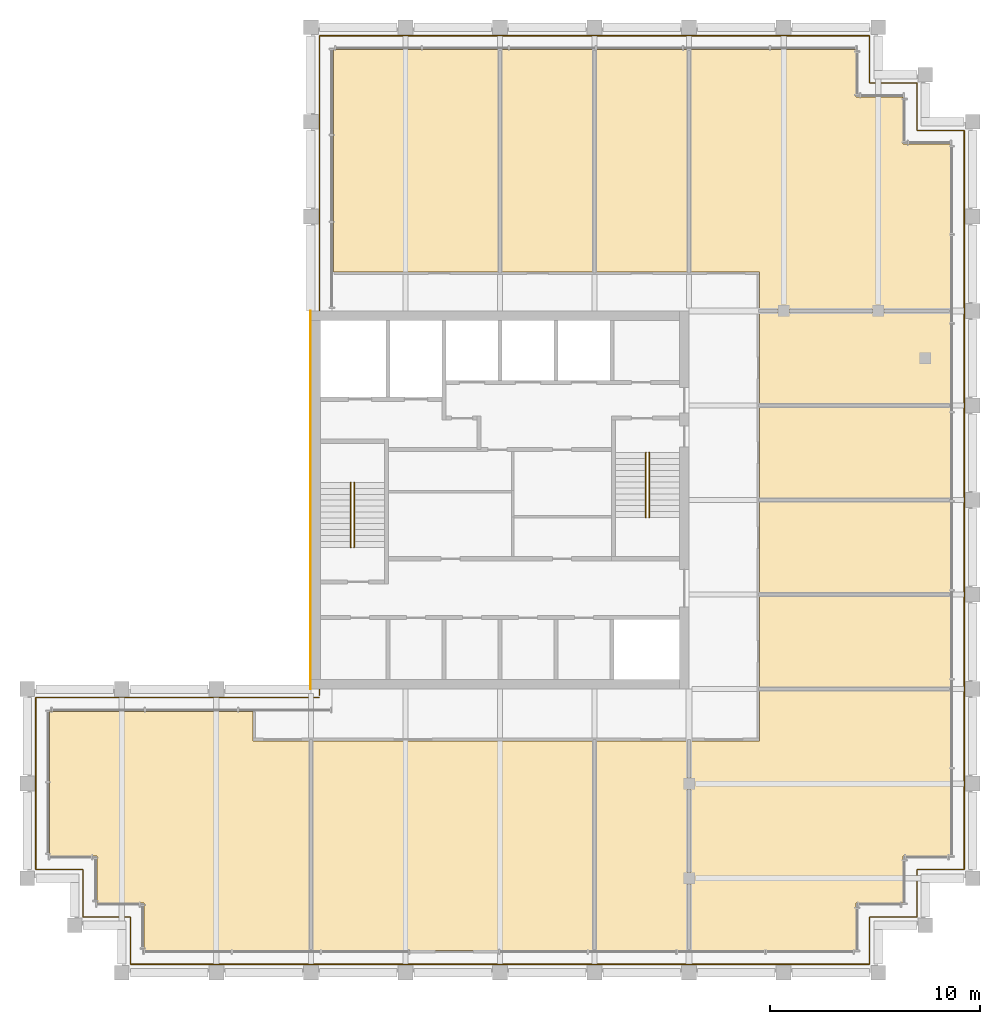
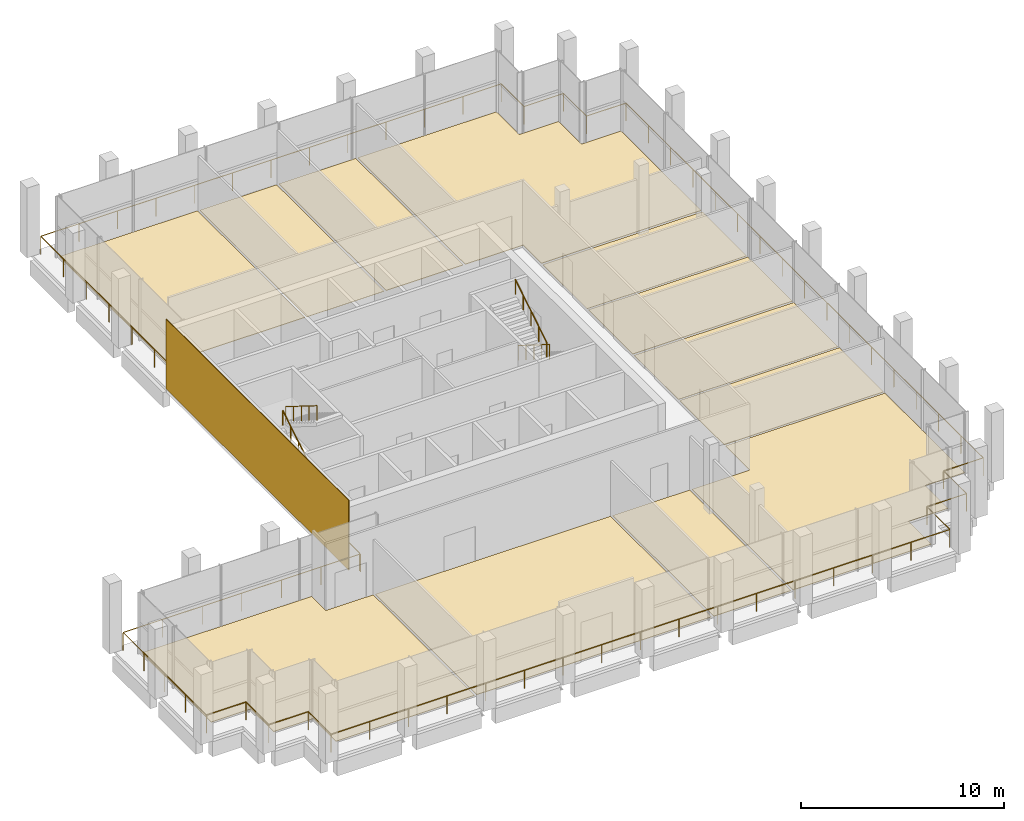
# One storey, part 17 of 17: 13 coverings, 5 railings.
"""IFC4 building model written with IfcOpenShell, lengths in metres."""

from ifc_helpers import new_model, si_unit, direction, frame, origin, origin_2d, place, context, subcontext, project, spatial, polyline, rectangle, circle, outline, extrude, source, transform, mapped, material, layer, layer_set, type_object, element, save


model = new_model("IFC4")

# Units and contexts
model_context = context("Model", 3, precision=1e-05, world=origin(), true_north=direction((0.0, 1.0)))
body_context = subcontext(model_context, "Body", "Model", "MODEL_VIEW")
ifc_project = project(units=[si_unit("LENGTHUNIT", "METRE"), si_unit("AREAUNIT", "SQUARE_METRE"), si_unit("VOLUMEUNIT", "CUBIC_METRE"), si_unit("PLANEANGLEUNIT", "RADIAN"), si_unit("MASSUNIT", "GRAM", prefix="KILO")], contexts=[model_context])

# Site, building, storey
site_placement = place(None, origin())
site = spatial("IfcSite", under=ifc_project, at=site_placement, CompositionType="ELEMENT")
building_placement = place(site_placement, origin())
building = spatial("IfcBuilding", under=site, at=building_placement, Name="Altepetl Exchange Towers", CompositionType="ELEMENT")
storey_placement = place(building_placement, frame((0.0, 0.0, 251.0)))
storey = spatial("IfcBuildingStorey", under=building, at=storey_placement, Name="L64", CompositionType="ELEMENT", Elevation=251.0)

# Coverings
ifc_material_1 = material(Name="Carpet tile")
ifc_layer_1 = layer(ifc_material_1, 0.02001953125)
ifc_layer_set_1 = layer_set([ifc_layer_1], Name="Carpet tile")
covering_type_1 = type_object("IfcCoveringType", Name="Carpet tile floor", PredefinedType="FLOORING", material=ifc_layer_set_1)
covering_1_placement = place(storey_placement, origin())
element("IfcCovering", 1, at=covering_1_placement, inside=storey, type_object=covering_type_1, Name="Pantry floor finish A64.06", PredefinedType="FLOORING", context=body_context, shape_type="SweptSolid", body=[
    extrude(outline(polyline([(70.9375, 49.4375), (61.862548828125, 49.4375), (61.862548828125, 45.0625), (70.9375, 45.0625), (70.9375, 49.4375)])), origin(), (0.0, 0.0, 1.0), 0.02001953125),
])
covering_2_placement = place(storey_placement, origin())
element("IfcCovering", 2, at=covering_2_placement, inside=storey, type_object=covering_type_1, Name="Pantry floor finish A64.08", PredefinedType="FLOORING", context=body_context, shape_type="SweptSolid", body=[
    extrude(outline(polyline([(70.9375, 58.4375), (61.862548828125, 58.4375), (61.862548828125, 54.0625), (70.9375, 54.0625), (70.9375, 58.4375)])), origin(), (0.0, 0.0, 1.0), 0.02001953125),
])
covering_3_placement = place(storey_placement, origin())
element("IfcCovering", 3, at=covering_3_placement, inside=storey, type_object=covering_type_1, Name="Meeting room floor finish A64.11", PredefinedType="FLOORING", context=body_context, shape_type="SweptSolid", body=[
    extrude(outline(polyline([(53.9375, 60.362548828125), (53.9375, 70.9375), (49.5625, 70.9375), (49.5625, 60.362548828125), (53.9375, 60.362548828125)])), origin(), (0.0, 0.0, 1.0), 0.02001953125),
])
ifc_material_2 = material(Name="Cantera stone", Category="masonry")
ifc_layer_2 = layer(ifc_material_2, 0.030029296875)
ifc_layer_set_2 = layer_set([ifc_layer_2], Name="Cantera stone")
covering_type_2 = type_object("IfcCoveringType", Name="Polished stone floor", PredefinedType="FLOORING", material=ifc_layer_set_2)
covering_4_placement = place(storey_placement, origin())
element("IfcCovering", 4, at=covering_4_placement, inside=storey, type_object=covering_type_2, Name="Executive office floor finish A64.01", PredefinedType="FLOORING", context=body_context, shape_type="SweptSolid", body=[
    extrude(outline(polyline([(40.4375, 28.0625), (40.4375, 38.03759765625), (37.737548828125, 38.03759765625), (37.737548828125, 39.4375), (28.0625, 39.4375), (28.0625, 32.5625), (30.3125, 32.5625), (30.3125, 30.3125), (32.5625, 30.3125), (32.5625, 28.0625), (40.4375, 28.0625)])), origin(), (0.0, 0.0, 1.0), 0.030029296875),
])
covering_5_placement = place(storey_placement, origin())
element("IfcCovering", 5, at=covering_5_placement, inside=storey, type_object=covering_type_2, Name="Executive office floor finish A64.02", PredefinedType="FLOORING", context=body_context, shape_type="SweptSolid", body=[
    extrude(outline(polyline([(53.9375, 28.0625), (53.9375, 38.03759765625), (40.5625, 38.03759765625), (40.5625, 28.0625), (53.9375, 28.0625)])), origin(), (0.0, 0.0, 1.0), 0.030029296875),
])
covering_6_placement = place(storey_placement, origin())
element("IfcCovering", 6, at=covering_6_placement, inside=storey, type_object=covering_type_2, Name="Executive dining room floor finish A64.03", PredefinedType="FLOORING", context=body_context, shape_type="SweptSolid", body=[
    extrude(outline(polyline([(58.4375, 28.0625), (58.4375, 38.03759765625), (54.0625, 38.03759765625), (54.0625, 28.0625), (58.4375, 28.0625)])), origin(), (0.0, 0.0, 1.0), 0.030029296875),
])
covering_7_placement = place(storey_placement, origin())
element("IfcCovering", 7, at=covering_7_placement, inside=storey, type_object=covering_type_2, Name="Executive office floor finish A64.04", PredefinedType="FLOORING", context=body_context, shape_type="SweptSolid", body=[
    extrude(outline(polyline([(70.9375, 40.4375), (61.862548828125, 40.4375), (61.862548828125, 38.03759765625), (58.5625, 38.03759765625), (58.5625, 28.0625), (66.4375, 28.0625), (66.4375, 30.3125), (68.6875, 30.3125), (68.6875, 32.5625), (70.9375, 32.5625), (70.9375, 40.4375)])), origin(), (0.0, 0.0, 1.0), 0.030029296875),
])
covering_8_placement = place(storey_placement, origin())
element("IfcCovering", 8, at=covering_8_placement, inside=storey, type_object=covering_type_2, Name="Lounge floor finish A64.05", PredefinedType="FLOORING", context=body_context, shape_type="SweptSolid", body=[
    extrude(outline(polyline([(70.9375, 44.9375), (61.862548828125, 44.9375), (61.862548828125, 40.5625), (70.9375, 40.5625), (70.9375, 44.9375)])), origin(), (0.0, 0.0, 1.0), 0.030029296875),
])
covering_9_placement = place(storey_placement, origin())
element("IfcCovering", 9, at=covering_9_placement, inside=storey, type_object=covering_type_2, Name="Lounge floor finish A64.07", PredefinedType="FLOORING", context=body_context, shape_type="SweptSolid", body=[
    extrude(outline(polyline([(70.9375, 53.9375), (61.862548828125, 53.9375), (61.862548828125, 49.5625), (70.9375, 49.5625), (70.9375, 53.9375)])), origin(), (0.0, 0.0, 1.0), 0.030029296875),
])
covering_10_placement = place(storey_placement, origin())
element("IfcCovering", 10, at=covering_10_placement, inside=storey, type_object=covering_type_2, Name="Cafe floor finish A64.09", PredefinedType="FLOORING", context=body_context, shape_type="SweptSolid", body=[
    extrude(outline(polyline([(66.4375, 70.9375), (58.5625, 70.9375), (58.5625, 60.362548828125), (61.862548828125, 60.362548828125), (61.862548828125, 58.5625), (70.9375, 58.5625), (70.9375, 66.4375), (68.6875, 66.4375), (68.6875, 68.6875), (66.4375, 68.6875), (66.4375, 70.9375)])), origin(), (0.0, 0.0, 1.0), 0.030029296875),
])
covering_11_placement = place(storey_placement, origin())
element("IfcCovering", 11, at=covering_11_placement, inside=storey, type_object=covering_type_2, Name="Boardroom floor finish A64.10", PredefinedType="FLOORING", context=body_context, shape_type="SweptSolid", body=[
    extrude(outline(polyline([(58.4375, 60.362548828125), (58.4375, 70.9375), (54.0625, 70.9375), (54.0625, 60.362548828125), (58.4375, 60.362548828125)])), origin(), (0.0, 0.0, 1.0), 0.030029296875),
])
covering_12_placement = place(storey_placement, origin())
element("IfcCovering", 12, at=covering_12_placement, inside=storey, type_object=covering_type_2, Name="Executive office floor finish A64.12", PredefinedType="FLOORING", context=body_context, shape_type="SweptSolid", body=[
    extrude(outline(polyline([(49.4375, 60.362548828125), (49.4375, 70.9375), (41.5625, 70.9375), (41.5625, 60.362548828125), (49.4375, 60.362548828125)])), origin(), (0.0, 0.0, 1.0), 0.030029296875),
])
ifc_material_3 = material(Name="Cantera limestone cladding", Category="masonry")
ifc_layer_3 = layer(ifc_material_3, 0.0400390625)
ifc_layer_set_3 = layer_set([ifc_layer_3], Name="Cantera limestone cladding")
covering_type_3 = type_object("IfcCoveringType", Name="Stone panel 40 cantera", PredefinedType="CLADDING", material=ifc_layer_set_3)
covering_13_placement = place(storey_placement, frame((40.47998046875, 49.5, 0.0), z_axis=(0.0, 0.0, 1.0), x_axis=(0.0, -1.0, 0.0)))
element("IfcCovering", 13, at=covering_13_placement, inside=storey, type_object=covering_type_3, Name="Stone cladding panel", PredefinedType="CLADDING", context=body_context, shape_type="SweptSolid", body=[
    extrude(rectangle(XDim=18.0, YDim=0.0400390625, at=origin_2d()), origin(), (0.0, 0.0, 1.0), 4.199951171875),
])

# Railings
ifc_material_4 = material(Name="Steel S355", Category="steel")
railing_type_1 = type_object("IfcRailingType", Name="Guard 1100 steel posts and rail", PredefinedType="GUARDRAIL", material=ifc_material_4)
shared_shape_1 = source(origin(), body_context, "Body", "SweptSolid", [
    extrude(circle(Radius=0.02099609375, at=origin_2d()), origin(), (0.0, 0.0, 1.0), 1.052001953125),
])
railing_1_placement = place(storey_placement, frame((40.89990234375, 40.10009765625, 0.0)))
element("IfcRailing", 14, at=railing_1_placement, inside=storey, type_object=railing_type_1, Name="Loggia guard", PredefinedType="GUARDRAIL", context=body_context, shape_type="SweptSolid", body=[
    extrude(circle(Radius=0.02392578125, at=origin_2d()), frame((0.0, 0.0, 1.076171875), z_axis=(-1.0, 0.0, 0.0), x_axis=(0.0, -1.0, 0.0)), (0.0, 0.0, 1.0), 13.5),
    extrude(circle(Radius=0.02392578125, at=origin_2d()), frame((-13.5, 0.0, 1.076171875), z_axis=(0.0, -1.0, 0.0), x_axis=(1.0, 0.0, 0.0)), (0.0, 0.0, 1.0), 8.2001953125),
    extrude(circle(Radius=0.02392578125, at=origin_2d()), frame((-13.5, -8.2001953125, 1.076171875), z_axis=(1.0, 0.0, 0.0), x_axis=(0.0, 1.0, 0.0)), (0.0, 0.0, 1.0), 2.25),
    extrude(circle(Radius=0.02392578125, at=origin_2d()), frame((-11.25, -8.2001953125, 1.076171875), z_axis=(0.0, -1.0, 0.0), x_axis=(1.0, 0.0, 0.0)), (0.0, 0.0, 1.0), 2.25),
    extrude(circle(Radius=0.02392578125, at=origin_2d()), frame((-11.25, -10.4501953125, 1.076171875), z_axis=(1.0, 0.0, 0.0), x_axis=(0.0, 1.0, 0.0)), (0.0, 0.0, 1.0), 2.25),
    extrude(circle(Radius=0.02392578125, at=origin_2d()), frame((-9.0, -10.4501953125, 1.076171875), z_axis=(0.0, -1.0, 0.0), x_axis=(1.0, 0.0, 0.0)), (0.0, 0.0, 1.0), 2.25),
    extrude(circle(Radius=0.02392578125, at=origin_2d()), frame((-9.0, -12.7001953125, 1.076171875), z_axis=(1.0, 0.0, 0.0), x_axis=(0.0, 1.0, 0.0)), (0.0, 0.0, 1.0), 35.2001953125),
    extrude(circle(Radius=0.02392578125, at=origin_2d()), frame((26.2001953125, -12.7001953125, 1.076171875), z_axis=(0.0, 1.0, 0.0), x_axis=(-1.0, 0.0, 0.0)), (0.0, 0.0, 1.0), 2.25),
    extrude(circle(Radius=0.02392578125, at=origin_2d()), frame((26.2001953125, -10.4501953125, 1.076171875), z_axis=(1.0, 0.0, 0.0), x_axis=(0.0, 1.0, 0.0)), (0.0, 0.0, 1.0), 2.25),
    extrude(circle(Radius=0.02392578125, at=origin_2d()), frame((28.4501953125, -10.4501953125, 1.076171875), z_axis=(0.0, 1.0, 0.0), x_axis=(-1.0, 0.0, 0.0)), (0.0, 0.0, 1.0), 2.25),
    extrude(circle(Radius=0.02392578125, at=origin_2d()), frame((28.4501953125, -8.2001953125, 1.076171875), z_axis=(1.0, 0.0, 0.0), x_axis=(0.0, 1.0, 0.0)), (0.0, 0.0, 1.0), 2.25),
    extrude(circle(Radius=0.02392578125, at=origin_2d()), frame((30.7001953125, -8.2001953125, 1.076171875), z_axis=(0.0, 1.0, 0.0), x_axis=(-1.0, 0.0, 0.0)), (0.0, 0.0, 1.0), 35.2001953125),
    extrude(circle(Radius=0.02392578125, at=origin_2d()), frame((30.7001953125, 27.0, 1.076171875), z_axis=(-1.0, 0.0, 0.0), x_axis=(0.0, -1.0, 0.0)), (0.0, 0.0, 1.0), 2.25),
    extrude(circle(Radius=0.02392578125, at=origin_2d()), frame((28.4501953125, 27.0, 1.076171875), z_axis=(0.0, 1.0, 0.0), x_axis=(-1.0, 0.0, 0.0)), (0.0, 0.0, 1.0), 2.25),
    extrude(circle(Radius=0.02392578125, at=origin_2d()), frame((28.4501953125, 29.25, 1.076171875), z_axis=(-1.0, 0.0, 0.0), x_axis=(0.0, -1.0, 0.0)), (0.0, 0.0, 1.0), 2.25),
    extrude(circle(Radius=0.02392578125, at=origin_2d()), frame((26.2001953125, 29.25, 1.076171875), z_axis=(0.0, 1.0, 0.0), x_axis=(-1.0, 0.0, 0.0)), (0.0, 0.0, 1.0), 2.25),
    extrude(circle(Radius=0.02392578125, at=origin_2d()), frame((26.2001953125, 31.5, 1.076171875), z_axis=(-1.0, 0.0, 0.0), x_axis=(0.0, -1.0, 0.0)), (0.0, 0.0, 1.0), 26.2001953125),
    extrude(circle(Radius=0.02392578125, at=origin_2d()), frame((0.0, 31.5, 1.076171875), z_axis=(0.0, -1.0, 0.0), x_axis=(1.0, 0.0, 0.0)), (0.0, 0.0, 1.0), 31.400146484375),
    mapped(shared_shape_1, transform((0.0, 0.0, 0.0))),
    mapped(shared_shape_1, transform((-2.25, 0.0, 0.0))),
    mapped(shared_shape_1, transform((-4.5, 0.0, 0.0))),
    mapped(shared_shape_1, transform((-6.75, 0.0, 0.0))),
    mapped(shared_shape_1, transform((-9.0, 0.0, 0.0))),
    mapped(shared_shape_1, transform((-11.25, 0.0, 0.0))),
    mapped(shared_shape_1, transform((-13.5, 0.0, 0.0))),
    mapped(shared_shape_1, transform((-13.5, -2.050048828125, 0.0))),
    mapped(shared_shape_1, transform((-13.5, -4.10009765625, 0.0))),
    mapped(shared_shape_1, transform((-13.5, -6.150146484375, 0.0))),
    mapped(shared_shape_1, transform((-13.5, -8.2001953125, 0.0))),
    mapped(shared_shape_1, transform((-11.25, -8.2001953125, 0.0))),
    mapped(shared_shape_1, transform((-11.25, -10.4501953125, 0.0))),
    mapped(shared_shape_1, transform((-9.0, -10.4501953125, 0.0))),
    mapped(shared_shape_1, transform((-9.0, -12.7001953125, 0.0))),
    mapped(shared_shape_1, transform((-6.800048828125, -12.7001953125, 0.0))),
    mapped(shared_shape_1, transform((-4.60009765625, -12.7001953125, 0.0))),
    mapped(shared_shape_1, transform((-2.39990234375, -12.7001953125, 0.0))),
    mapped(shared_shape_1, transform((-0.199951171875, -12.7001953125, 0.0))),
    mapped(shared_shape_1, transform((2.0, -12.7001953125, 0.0))),
    mapped(shared_shape_1, transform((4.2001953125, -12.7001953125, 0.0))),
    mapped(shared_shape_1, transform((6.400146484375, -12.7001953125, 0.0))),
    mapped(shared_shape_1, transform((8.60009765625, -12.7001953125, 0.0))),
    mapped(shared_shape_1, transform((10.800048828125, -12.7001953125, 0.0))),
    mapped(shared_shape_1, transform((13.0, -12.7001953125, 0.0))),
    mapped(shared_shape_1, transform((15.2001953125, -12.7001953125, 0.0))),
    mapped(shared_shape_1, transform((17.400146484375, -12.7001953125, 0.0))),
    mapped(shared_shape_1, transform((19.60009765625, -12.7001953125, 0.0))),
    mapped(shared_shape_1, transform((21.80029296875, -12.7001953125, 0.0))),
    mapped(shared_shape_1, transform((24.000244140625, -12.7001953125, 0.0))),
    mapped(shared_shape_1, transform((26.2001953125, -12.7001953125, 0.0))),
    mapped(shared_shape_1, transform((26.2001953125, -10.4501953125, 0.0))),
    mapped(shared_shape_1, transform((28.4501953125, -10.4501953125, 0.0))),
    mapped(shared_shape_1, transform((28.4501953125, -8.2001953125, 0.0))),
    mapped(shared_shape_1, transform((30.7001953125, -8.2001953125, 0.0))),
    mapped(shared_shape_1, transform((30.7001953125, -6.000244140625, 0.0))),
    mapped(shared_shape_1, transform((30.7001953125, -3.80029296875, 0.0))),
    mapped(shared_shape_1, transform((30.7001953125, -1.60009765625, 0.0))),
    mapped(shared_shape_1, transform((30.7001953125, 0.599853515625, 0.0))),
    mapped(shared_shape_1, transform((30.7001953125, 2.7998046875, 0.0))),
    mapped(shared_shape_1, transform((30.7001953125, 5.0, 0.0))),
    mapped(shared_shape_1, transform((30.7001953125, 7.199951171875, 0.0))),
    mapped(shared_shape_1, transform((30.7001953125, 9.39990234375, 0.0))),
    mapped(shared_shape_1, transform((30.7001953125, 11.599853515625, 0.0))),
    mapped(shared_shape_1, transform((30.7001953125, 13.7998046875, 0.0))),
    mapped(shared_shape_1, transform((30.7001953125, 16.0, 0.0))),
    mapped(shared_shape_1, transform((30.7001953125, 18.199951171875, 0.0))),
    mapped(shared_shape_1, transform((30.7001953125, 20.39990234375, 0.0))),
    mapped(shared_shape_1, transform((30.7001953125, 22.60009765625, 0.0))),
    mapped(shared_shape_1, transform((30.7001953125, 24.800048828125, 0.0))),
    mapped(shared_shape_1, transform((30.7001953125, 27.0, 0.0))),
    mapped(shared_shape_1, transform((28.4501953125, 27.0, 0.0))),
    mapped(shared_shape_1, transform((28.4501953125, 29.25, 0.0))),
    mapped(shared_shape_1, transform((26.2001953125, 29.25, 0.0))),
    mapped(shared_shape_1, transform((26.2001953125, 31.5, 0.0))),
    mapped(shared_shape_1, transform((24.016845703125, 31.5, 0.0))),
    mapped(shared_shape_1, transform((21.83349609375, 31.5, 0.0))),
    mapped(shared_shape_1, transform((19.650146484375, 31.5, 0.0))),
    mapped(shared_shape_1, transform((17.466796875, 31.5, 0.0))),
    mapped(shared_shape_1, transform((15.283447265625, 31.5, 0.0))),
    mapped(shared_shape_1, transform((13.10009765625, 31.5, 0.0))),
    mapped(shared_shape_1, transform((10.916748046875, 31.5, 0.0))),
    mapped(shared_shape_1, transform((8.7333984375, 31.5, 0.0))),
    mapped(shared_shape_1, transform((6.550048828125, 31.5, 0.0))),
    mapped(shared_shape_1, transform((4.36669921875, 31.5, 0.0))),
    mapped(shared_shape_1, transform((2.183349609375, 31.5, 0.0))),
    mapped(shared_shape_1, transform((0.0, 31.5, 0.0))),
    mapped(shared_shape_1, transform((0.0, 29.257080078125, 0.0))),
    mapped(shared_shape_1, transform((0.0, 27.01416015625, 0.0))),
    mapped(shared_shape_1, transform((0.0, 24.771484375, 0.0))),
    mapped(shared_shape_1, transform((0.0, 22.528564453125, 0.0))),
    mapped(shared_shape_1, transform((0.0, 20.28564453125, 0.0))),
    mapped(shared_shape_1, transform((0.0, 18.042724609375, 0.0))),
    mapped(shared_shape_1, transform((0.0, 15.7998046875, 0.0))),
    mapped(shared_shape_1, transform((0.0, 13.55712890625, 0.0))),
    mapped(shared_shape_1, transform((0.0, 11.314208984375, 0.0))),
    mapped(shared_shape_1, transform((0.0, 9.0712890625, 0.0))),
    mapped(shared_shape_1, transform((0.0, 6.828369140625, 0.0))),
    mapped(shared_shape_1, transform((0.0, 4.585693359375, 0.0))),
    mapped(shared_shape_1, transform((0.0, 2.3427734375, 0.0))),
    mapped(shared_shape_1, transform((0.0, 0.099853515625, 0.0))),
])
ifc_material_5 = material(Name="Steel", Category="steel")
railing_type_2 = type_object("IfcRailingType", Name="Stair handrail 50 steel tube", PredefinedType="HANDRAIL", material=ifc_material_5)
shared_shape_2 = source(origin(), body_context, "Body", "SweptSolid", [
    extrude(circle(Radius=0.02099609375, at=origin_2d()), origin(), (0.0, 0.0, 1.0), 0.851806640625),
])
railing_2_placement = place(storey_placement, frame((42.39501953125, 47.25, 0.175048828125)))
element("IfcRailing", 15, at=railing_2_placement, inside=storey, type_object=railing_type_2, Name="Stair handrail", PredefinedType="HANDRAIL", context=body_context, shape_type="SweptSolid", body=[
    extrude(circle(Radius=0.02392578125, at=origin_2d()), frame((0.0, 0.0, 0.8759765625), z_axis=(0.0, 0.847998304005, 0.529998940003), x_axis=(-1.0, 0.0, 0.0)), (0.0, 0.0, 1.0), 3.632080078125),
    mapped(shared_shape_2, transform((0.0, 0.0, 0.0))),
    mapped(shared_shape_2, transform((0.0, 0.77001953125, 0.481201171875))),
    mapped(shared_shape_2, transform((0.0, 1.5400390625, 0.96240234375))),
    mapped(shared_shape_2, transform((0.0, 2.31005859375, 1.44384765625))),
    mapped(shared_shape_2, transform((0.0, 3.080078125, 1.925048828125))),
])
for number, where, name in (
    (16, (42.554931640625, 50.330078125, 2.27490234375), "Stair handrail"),
    (17, (56.60498046875, 51.75, 0.175048828125), "Stair handrail"),
):
    element("IfcRailing", number, at=place(storey_placement, frame(where)), inside=storey, type_object=railing_type_2, Name=name, PredefinedType="HANDRAIL", context=body_context, shape_type="SweptSolid", body=[
        extrude(circle(Radius=0.02392578125, at=origin_2d()), frame((0.0, 0.0, 0.8759765625), z_axis=(0.0, -0.847998304005, 0.529998940003), x_axis=(1.0, 0.0, 0.0)), (0.0, 0.0, 1.0), 3.632080078125),
        mapped(shared_shape_2, transform((0.0, 0.0, 0.0))),
        mapped(shared_shape_2, transform((0.0, -0.77001953125, 0.481201171875))),
        mapped(shared_shape_2, transform((0.0, -1.5400390625, 0.96240234375))),
        mapped(shared_shape_2, transform((0.0, -2.31005859375, 1.44384765625))),
        mapped(shared_shape_2, transform((0.0, -3.080078125, 1.925048828125))),
    ])
railing_3_placement = place(storey_placement, frame((56.445068359375, 48.669921875, 2.27490234375)))
element("IfcRailing", 18, at=railing_3_placement, inside=storey, type_object=railing_type_2, Name="Stair handrail", PredefinedType="HANDRAIL", context=body_context, shape_type="SweptSolid", body=[
    extrude(circle(Radius=0.02392578125, at=origin_2d()), frame((0.0, 0.0, 0.8759765625), z_axis=(0.0, 0.847998304005, 0.529998940003), x_axis=(-1.0, 0.0, 0.0)), (0.0, 0.0, 1.0), 3.632080078125),
    mapped(shared_shape_2, transform((0.0, 0.0, 0.0))),
    mapped(shared_shape_2, transform((0.0, 0.77001953125, 0.481201171875))),
    mapped(shared_shape_2, transform((0.0, 1.5400390625, 0.96240234375))),
    mapped(shared_shape_2, transform((0.0, 2.31005859375, 1.44384765625))),
    mapped(shared_shape_2, transform((0.0, 3.080078125, 1.925048828125))),
])

save(model, "model.ifc")
